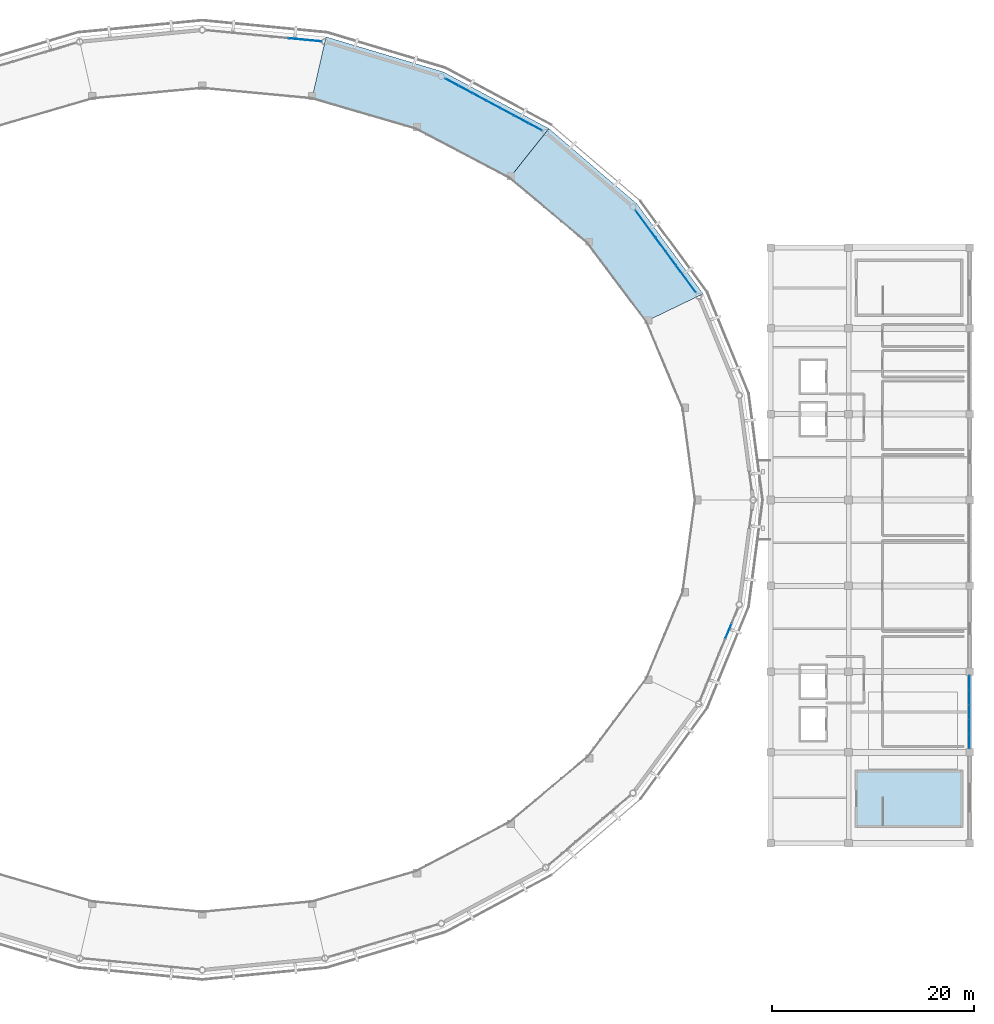
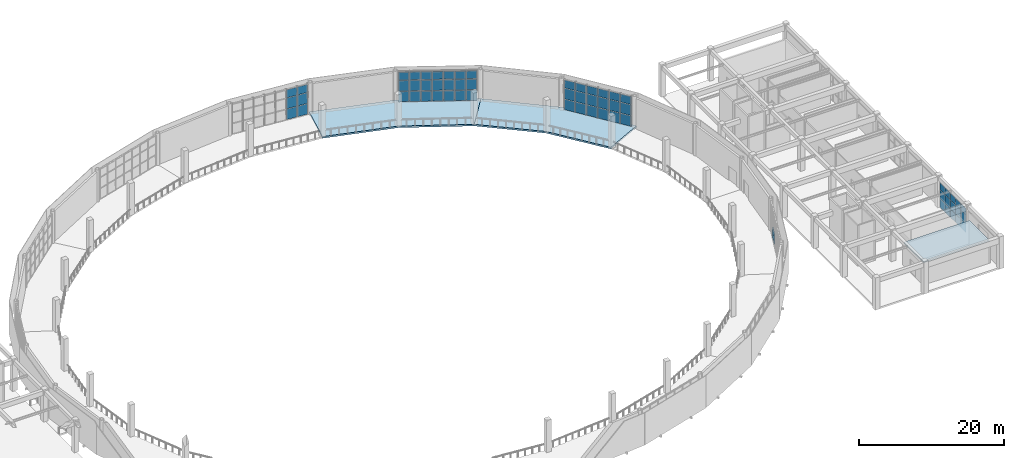
# One storey, part 28 of 40: 61 plates, 3 slabs, 5 elements without a shape of their own.
"""IFC4 building model written with IfcOpenShell, lengths in metres."""

from ifc_helpers import new_model, si_unit, direction, frame, origin, origin_2d, place, context, subcontext, project, spatial, polyline, rectangle, outline, extrude, material, layer, layer_set, type_object, element, aggregate, save


model = new_model("IFC4")

# Units and contexts
model_context = context("Model", 3, precision=1e-05, world=origin(), true_north=direction((0.0, 1.0)))
body_context = subcontext(model_context, "Body", "Model", "MODEL_VIEW")
ifc_project = project(units=[si_unit("LENGTHUNIT", "METRE"), si_unit("AREAUNIT", "SQUARE_METRE"), si_unit("VOLUMEUNIT", "CUBIC_METRE"), si_unit("PLANEANGLEUNIT", "RADIAN"), si_unit("MASSUNIT", "GRAM", prefix="KILO")], contexts=[model_context])

# Site, building, storey
site_placement = place(None, origin())
site = spatial("IfcSite", under=ifc_project, at=site_placement, CompositionType="ELEMENT")
building_placement = place(site_placement, origin())
building = spatial("IfcBuilding", under=site, at=building_placement, Name="Cuetzalor Civic Arena", CompositionType="ELEMENT")
storey_placement = place(building_placement, frame((0.0, 0.0, 26.39990234375)))
storey = spatial("IfcBuildingStorey", under=building, at=storey_placement, Name="L05", CompositionType="ELEMENT", Elevation=26.39990234375)

# Curtain wall, plates
ifc_material_1 = material(Name="Anodised dark bronze aluminium and low-E solar glass", Category="aluminium")
curtain_wall_type_1 = type_object("IfcCurtainWallType", Name="UnitisedCW_10150x5150", PredefinedType="USERDEFINED", material=ifc_material_1)
curtain_wall_1_placement = place(storey_placement, origin())
curtain_wall_1 = element("IfcCurtainWall", 1, at=curtain_wall_1_placement, inside=storey, type_object=curtain_wall_type_1, Name="Drum Triangle Foyer Curtain Wall L05-069", ObjectType="UNITISED CURTAIN WALL", PredefinedType="USERDEFINED")
ifc_material_2 = material(Name="Acoustic laminated solar control glass", Category="glass")
ifc_layer_1 = layer(ifc_material_2, 0.0439453125)
ifc_layer_set_1 = layer_set([ifc_layer_1], Name="Acoustic laminated solar control glass")
plate_type = type_object("IfcPlateType", Name="AcousticTripleGlazedPanel_44", PredefinedType="CURTAIN_PANEL", material=ifc_layer_set_1)
plate_1_placement = place(storey_placement, frame((43.402587890625, 27.999755859375, 0.0703125), z_axis=(0.0, 0.0, 1.0), x_axis=(0.59292931222, -0.805254513002, 0.0)))
plate_1 = element("IfcPlate", 2, at=plate_1_placement, type_object=plate_type, Name="CW-18 panel 1.1", PredefinedType="CURTAIN_PANEL", context=body_context, shape_type="SweptSolid", body=[
    extrude(rectangle(XDim=1.585693359375, YDim=0.0439453125, at=origin_2d()), origin(), (0.0, 0.0, 1.0), 1.743896484375),
])
plate_2_placement = place(storey_placement, frame((43.402587890625, 27.999755859375, 1.88427734375), z_axis=(0.0, 0.0, 1.0), x_axis=(0.59292931222, -0.805254513002, 0.0)))
plate_2 = element("IfcPlate", 3, at=plate_2_placement, type_object=plate_type, Name="CW-18 panel 1.2", PredefinedType="CURTAIN_PANEL", context=body_context, shape_type="SweptSolid", body=[
    extrude(rectangle(XDim=1.585693359375, YDim=0.0439453125, at=origin_2d()), origin(), (0.0, 0.0, 1.0), 1.779052734375),
])
plate_3_placement = place(storey_placement, frame((43.402587890625, 27.999755859375, 3.733154296875), z_axis=(0.0, 0.0, 1.0), x_axis=(0.59292931222, -0.805254513002, 0.0)))
plate_3 = element("IfcPlate", 4, at=plate_3_placement, type_object=plate_type, Name="CW-18 panel 1.3", PredefinedType="CURTAIN_PANEL", context=body_context, shape_type="SweptSolid", body=[
    extrude(rectangle(XDim=1.585693359375, YDim=0.0439453125, at=origin_2d()), origin(), (0.0, 0.0, 1.0), 1.3330078125),
])
plate_4_placement = place(storey_placement, frame((44.394775390625, 26.652587890625, 0.0703125), z_axis=(0.0, 0.0, 1.0), x_axis=(0.59292931222, -0.805254513002, 0.0)))
plate_4 = element("IfcPlate", 5, at=plate_4_placement, type_object=plate_type, Name="CW-18 panel 2.1", PredefinedType="CURTAIN_PANEL", context=body_context, shape_type="SweptSolid", body=[
    extrude(rectangle(XDim=1.62060546875, YDim=0.0439453125, at=origin_2d()), origin(), (0.0, 0.0, 1.0), 1.743896484375),
])
plate_5_placement = place(storey_placement, frame((44.394775390625, 26.652587890625, 1.88427734375), z_axis=(0.0, 0.0, 1.0), x_axis=(0.59292931222, -0.805254513002, 0.0)))
plate_5 = element("IfcPlate", 6, at=plate_5_placement, type_object=plate_type, Name="CW-18 panel 2.2", PredefinedType="CURTAIN_PANEL", context=body_context, shape_type="SweptSolid", body=[
    extrude(rectangle(XDim=1.62060546875, YDim=0.0439453125, at=origin_2d()), origin(), (0.0, 0.0, 1.0), 1.779052734375),
])
plate_6_placement = place(storey_placement, frame((44.394775390625, 26.652587890625, 3.733154296875), z_axis=(0.0, 0.0, 1.0), x_axis=(0.59292931222, -0.805254513002, 0.0)))
plate_6 = element("IfcPlate", 7, at=plate_6_placement, type_object=plate_type, Name="CW-18 panel 2.3", PredefinedType="CURTAIN_PANEL", context=body_context, shape_type="SweptSolid", body=[
    extrude(rectangle(XDim=1.62060546875, YDim=0.0439453125, at=origin_2d()), origin(), (0.0, 0.0, 1.0), 1.3330078125),
])
plate_7_placement = place(storey_placement, frame((45.397216796875, 25.291015625, 0.0703125), z_axis=(0.0, 0.0, 1.0), x_axis=(0.59292931222, -0.805254513002, 0.0)))
plate_7 = element("IfcPlate", 8, at=plate_7_placement, type_object=plate_type, Name="CW-18 panel 3.1", PredefinedType="CURTAIN_PANEL", context=body_context, shape_type="SweptSolid", body=[
    extrude(rectangle(XDim=1.62060546875, YDim=0.0439453125, at=origin_2d()), origin(), (0.0, 0.0, 1.0), 1.743896484375),
])
plate_8_placement = place(storey_placement, frame((45.397216796875, 25.291015625, 1.88427734375), z_axis=(0.0, 0.0, 1.0), x_axis=(0.59292931222, -0.805254513002, 0.0)))
plate_8 = element("IfcPlate", 9, at=plate_8_placement, type_object=plate_type, Name="CW-18 panel 3.2", PredefinedType="CURTAIN_PANEL", context=body_context, shape_type="SweptSolid", body=[
    extrude(rectangle(XDim=1.62060546875, YDim=0.0439453125, at=origin_2d()), origin(), (0.0, 0.0, 1.0), 1.779052734375),
])
plate_9_placement = place(storey_placement, frame((45.397216796875, 25.291015625, 3.733154296875), z_axis=(0.0, 0.0, 1.0), x_axis=(0.59292931222, -0.805254513002, 0.0)))
plate_9 = element("IfcPlate", 10, at=plate_9_placement, type_object=plate_type, Name="CW-18 panel 3.3", PredefinedType="CURTAIN_PANEL", context=body_context, shape_type="SweptSolid", body=[
    extrude(rectangle(XDim=1.62060546875, YDim=0.0439453125, at=origin_2d()), origin(), (0.0, 0.0, 1.0), 1.3330078125),
])
plate_10_placement = place(storey_placement, frame((46.399658203125, 23.9296875, 0.0703125), z_axis=(0.0, 0.0, 1.0), x_axis=(0.59292931222, -0.805254513002, 0.0)))
plate_10 = element("IfcPlate", 11, at=plate_10_placement, type_object=plate_type, Name="CW-18 panel 4.1", PredefinedType="CURTAIN_PANEL", context=body_context, shape_type="SweptSolid", body=[
    extrude(rectangle(XDim=1.62060546875, YDim=0.0439453125, at=origin_2d()), origin(), (0.0, 0.0, 1.0), 1.743896484375),
])
plate_11_placement = place(storey_placement, frame((46.399658203125, 23.9296875, 1.88427734375), z_axis=(0.0, 0.0, 1.0), x_axis=(0.59292931222, -0.805254513002, 0.0)))
plate_11 = element("IfcPlate", 12, at=plate_11_placement, type_object=plate_type, Name="CW-18 panel 4.2", PredefinedType="CURTAIN_PANEL", context=body_context, shape_type="SweptSolid", body=[
    extrude(rectangle(XDim=1.62060546875, YDim=0.0439453125, at=origin_2d()), origin(), (0.0, 0.0, 1.0), 1.779052734375),
])
plate_12_placement = place(storey_placement, frame((46.399658203125, 23.9296875, 3.733154296875), z_axis=(0.0, 0.0, 1.0), x_axis=(0.59292931222, -0.805254513002, 0.0)))
plate_12 = element("IfcPlate", 13, at=plate_12_placement, type_object=plate_type, Name="CW-18 panel 4.3", PredefinedType="CURTAIN_PANEL", context=body_context, shape_type="SweptSolid", body=[
    extrude(rectangle(XDim=1.62060546875, YDim=0.0439453125, at=origin_2d()), origin(), (0.0, 0.0, 1.0), 1.3330078125),
])
plate_13_placement = place(storey_placement, frame((47.402099609375, 22.568359375, 0.0703125), z_axis=(0.0, 0.0, 1.0), x_axis=(0.59292931222, -0.805254513002, 0.0)))
plate_13 = element("IfcPlate", 14, at=plate_13_placement, type_object=plate_type, Name="CW-18 panel 5.1", PredefinedType="CURTAIN_PANEL", context=body_context, shape_type="SweptSolid", body=[
    extrude(rectangle(XDim=1.62060546875, YDim=0.0439453125, at=origin_2d()), origin(), (0.0, 0.0, 1.0), 1.743896484375),
])
plate_14_placement = place(storey_placement, frame((47.402099609375, 22.568359375, 1.88427734375), z_axis=(0.0, 0.0, 1.0), x_axis=(0.59292931222, -0.805254513002, 0.0)))
plate_14 = element("IfcPlate", 15, at=plate_14_placement, type_object=plate_type, Name="CW-18 panel 5.2", PredefinedType="CURTAIN_PANEL", context=body_context, shape_type="SweptSolid", body=[
    extrude(rectangle(XDim=1.62060546875, YDim=0.0439453125, at=origin_2d()), origin(), (0.0, 0.0, 1.0), 1.779052734375),
])
plate_15_placement = place(storey_placement, frame((47.402099609375, 22.568359375, 3.733154296875), z_axis=(0.0, 0.0, 1.0), x_axis=(0.59292931222, -0.805254513002, 0.0)))
plate_15 = element("IfcPlate", 16, at=plate_15_placement, type_object=plate_type, Name="CW-18 panel 5.3", PredefinedType="CURTAIN_PANEL", context=body_context, shape_type="SweptSolid", body=[
    extrude(rectangle(XDim=1.62060546875, YDim=0.0439453125, at=origin_2d()), origin(), (0.0, 0.0, 1.0), 1.3330078125),
])
plate_16_placement = place(storey_placement, frame((48.39404296875, 21.220947265625, 0.0703125), z_axis=(0.0, 0.0, 1.0), x_axis=(0.59292931222, -0.805254513002, 0.0)))
plate_16 = element("IfcPlate", 17, at=plate_16_placement, type_object=plate_type, Name="CW-18 panel 6.1", PredefinedType="CURTAIN_PANEL", context=body_context, shape_type="SweptSolid", body=[
    extrude(rectangle(XDim=1.585693359375, YDim=0.0439453125, at=origin_2d()), origin(), (0.0, 0.0, 1.0), 1.743896484375),
])
plate_17_placement = place(storey_placement, frame((48.39404296875, 21.220947265625, 1.88427734375), z_axis=(0.0, 0.0, 1.0), x_axis=(0.59292931222, -0.805254513002, 0.0)))
plate_17 = element("IfcPlate", 18, at=plate_17_placement, type_object=plate_type, Name="CW-18 panel 6.2", PredefinedType="CURTAIN_PANEL", context=body_context, shape_type="SweptSolid", body=[
    extrude(rectangle(XDim=1.585693359375, YDim=0.0439453125, at=origin_2d()), origin(), (0.0, 0.0, 1.0), 1.779052734375),
])
plate_18_placement = place(storey_placement, frame((48.39404296875, 21.220947265625, 3.733154296875), z_axis=(0.0, 0.0, 1.0), x_axis=(0.59292931222, -0.805254513002, 0.0)))
plate_18 = element("IfcPlate", 19, at=plate_18_placement, type_object=plate_type, Name="CW-18 panel 6.3", PredefinedType="CURTAIN_PANEL", context=body_context, shape_type="SweptSolid", body=[
    extrude(rectangle(XDim=1.585693359375, YDim=0.0439453125, at=origin_2d()), origin(), (0.0, 0.0, 1.0), 1.3330078125),
])
aggregate(curtain_wall_1, [plate_1, plate_2, plate_3, plate_4, plate_5, plate_6, plate_7, plate_8, plate_9, plate_10, plate_11, plate_12, plate_13, plate_14, plate_15, plate_16, plate_17, plate_18])

ifc_material_3 = material(Name="Anodised dark bronze aluminium and low-E solar glass", Category="aluminium")
curtain_wall_type_2 = type_object("IfcCurtainWallType", Name="UnitisedCW_10950x5150", PredefinedType="USERDEFINED", material=ifc_material_3)
curtain_wall_2_placement = place(storey_placement, origin())
curtain_wall_2 = element("IfcCurtainWall", 20, at=curtain_wall_2_placement, inside=storey, type_object=curtain_wall_type_2, Name="Drum Triangle Foyer Curtain Wall L05-070", ObjectType="UNITISED CURTAIN WALL", PredefinedType="USERDEFINED")
plate_19_placement = place(storey_placement, frame((24.720947265625, 41.375732421875, 0.0703125), z_axis=(0.0, 0.0, 1.0), x_axis=(0.881306344124, -0.472545371163, 0.0)))
plate_19 = element("IfcPlate", 21, at=plate_19_placement, type_object=plate_type, Name="CW-19 panel 1.1", PredefinedType="CURTAIN_PANEL", context=body_context, shape_type="SweptSolid", body=[
    extrude(rectangle(XDim=1.458740234375, YDim=0.0439453125, at=origin_2d()), origin(), (0.0, 0.0, 1.0), 1.743896484375),
])
plate_20_placement = place(storey_placement, frame((24.720947265625, 41.375732421875, 1.88427734375), z_axis=(0.0, 0.0, 1.0), x_axis=(0.881306344124, -0.472545371163, 0.0)))
plate_20 = element("IfcPlate", 22, at=plate_20_placement, type_object=plate_type, Name="CW-19 panel 1.2", PredefinedType="CURTAIN_PANEL", context=body_context, shape_type="SweptSolid", body=[
    extrude(rectangle(XDim=1.458740234375, YDim=0.0439453125, at=origin_2d()), origin(), (0.0, 0.0, 1.0), 1.779052734375),
])
plate_21_placement = place(storey_placement, frame((24.720947265625, 41.375732421875, 3.733154296875), z_axis=(0.0, 0.0, 1.0), x_axis=(0.881306344124, -0.472545371163, 0.0)))
plate_21 = element("IfcPlate", 23, at=plate_21_placement, type_object=plate_type, Name="CW-19 panel 1.3", PredefinedType="CURTAIN_PANEL", context=body_context, shape_type="SweptSolid", body=[
    extrude(rectangle(XDim=1.458740234375, YDim=0.0439453125, at=origin_2d()), origin(), (0.0, 0.0, 1.0), 1.3330078125),
])
plate_22_placement = place(storey_placement, frame((26.08349609375, 40.64501953125, 0.0703125), z_axis=(0.0, 0.0, 1.0), x_axis=(0.881306344124, -0.472545371163, 0.0)))
plate_22 = element("IfcPlate", 24, at=plate_22_placement, type_object=plate_type, Name="CW-19 panel 2.1", PredefinedType="CURTAIN_PANEL", context=body_context, shape_type="SweptSolid", body=[
    extrude(rectangle(XDim=1.49365234375, YDim=0.0439453125, at=origin_2d()), origin(), (0.0, 0.0, 1.0), 1.743896484375),
])
plate_23_placement = place(storey_placement, frame((26.08349609375, 40.64501953125, 1.88427734375), z_axis=(0.0, 0.0, 1.0), x_axis=(0.881306344124, -0.472545371163, 0.0)))
plate_23 = element("IfcPlate", 25, at=plate_23_placement, type_object=plate_type, Name="CW-19 panel 2.2", PredefinedType="CURTAIN_PANEL", context=body_context, shape_type="SweptSolid", body=[
    extrude(rectangle(XDim=1.49365234375, YDim=0.0439453125, at=origin_2d()), origin(), (0.0, 0.0, 1.0), 1.779052734375),
])
plate_24_placement = place(storey_placement, frame((26.08349609375, 40.64501953125, 3.733154296875), z_axis=(0.0, 0.0, 1.0), x_axis=(0.881306344124, -0.472545371163, 0.0)))
plate_24 = element("IfcPlate", 26, at=plate_24_placement, type_object=plate_type, Name="CW-19 panel 2.3", PredefinedType="CURTAIN_PANEL", context=body_context, shape_type="SweptSolid", body=[
    extrude(rectangle(XDim=1.49365234375, YDim=0.0439453125, at=origin_2d()), origin(), (0.0, 0.0, 1.0), 1.3330078125),
])
plate_25_placement = place(storey_placement, frame((27.461669921875, 39.90625, 0.0703125), z_axis=(0.0, 0.0, 1.0), x_axis=(0.881306344124, -0.472545371163, 0.0)))
plate_25 = element("IfcPlate", 27, at=plate_25_placement, type_object=plate_type, Name="CW-19 panel 3.1", PredefinedType="CURTAIN_PANEL", context=body_context, shape_type="SweptSolid", body=[
    extrude(rectangle(XDim=1.49365234375, YDim=0.0439453125, at=origin_2d()), origin(), (0.0, 0.0, 1.0), 1.743896484375),
])
plate_26_placement = place(storey_placement, frame((27.461669921875, 39.90625, 1.88427734375), z_axis=(0.0, 0.0, 1.0), x_axis=(0.881306344124, -0.472545371163, 0.0)))
plate_26 = element("IfcPlate", 28, at=plate_26_placement, type_object=plate_type, Name="CW-19 panel 3.2", PredefinedType="CURTAIN_PANEL", context=body_context, shape_type="SweptSolid", body=[
    extrude(rectangle(XDim=1.49365234375, YDim=0.0439453125, at=origin_2d()), origin(), (0.0, 0.0, 1.0), 1.779052734375),
])
plate_27_placement = place(storey_placement, frame((27.461669921875, 39.90625, 3.733154296875), z_axis=(0.0, 0.0, 1.0), x_axis=(0.881306344124, -0.472545371163, 0.0)))
plate_27 = element("IfcPlate", 29, at=plate_27_placement, type_object=plate_type, Name="CW-19 panel 3.3", PredefinedType="CURTAIN_PANEL", context=body_context, shape_type="SweptSolid", body=[
    extrude(rectangle(XDim=1.49365234375, YDim=0.0439453125, at=origin_2d()), origin(), (0.0, 0.0, 1.0), 1.3330078125),
])
plate_28_placement = place(storey_placement, frame((28.83984375, 39.167236328125, 0.0703125), z_axis=(0.0, 0.0, 1.0), x_axis=(0.881306344124, -0.472545371163, 0.0)))
plate_28 = element("IfcPlate", 30, at=plate_28_placement, type_object=plate_type, Name="CW-19 panel 4.1", PredefinedType="CURTAIN_PANEL", context=body_context, shape_type="SweptSolid", body=[
    extrude(rectangle(XDim=1.49365234375, YDim=0.0439453125, at=origin_2d()), origin(), (0.0, 0.0, 1.0), 1.743896484375),
])
plate_29_placement = place(storey_placement, frame((28.83984375, 39.167236328125, 1.88427734375), z_axis=(0.0, 0.0, 1.0), x_axis=(0.881306344124, -0.472545371163, 0.0)))
plate_29 = element("IfcPlate", 31, at=plate_29_placement, type_object=plate_type, Name="CW-19 panel 4.2", PredefinedType="CURTAIN_PANEL", context=body_context, shape_type="SweptSolid", body=[
    extrude(rectangle(XDim=1.49365234375, YDim=0.0439453125, at=origin_2d()), origin(), (0.0, 0.0, 1.0), 1.779052734375),
])
plate_30_placement = place(storey_placement, frame((28.83984375, 39.167236328125, 3.733154296875), z_axis=(0.0, 0.0, 1.0), x_axis=(0.881306344124, -0.472545371163, 0.0)))
plate_30 = element("IfcPlate", 32, at=plate_30_placement, type_object=plate_type, Name="CW-19 panel 4.3", PredefinedType="CURTAIN_PANEL", context=body_context, shape_type="SweptSolid", body=[
    extrude(rectangle(XDim=1.49365234375, YDim=0.0439453125, at=origin_2d()), origin(), (0.0, 0.0, 1.0), 1.3330078125),
])
plate_31_placement = place(storey_placement, frame((30.218017578125, 38.42822265625, 0.0703125), z_axis=(0.0, 0.0, 1.0), x_axis=(0.881306344124, -0.472545371163, 0.0)))
plate_31 = element("IfcPlate", 33, at=plate_31_placement, type_object=plate_type, Name="CW-19 panel 5.1", PredefinedType="CURTAIN_PANEL", context=body_context, shape_type="SweptSolid", body=[
    extrude(rectangle(XDim=1.49365234375, YDim=0.0439453125, at=origin_2d()), origin(), (0.0, 0.0, 1.0), 1.743896484375),
])
plate_32_placement = place(storey_placement, frame((30.218017578125, 38.42822265625, 1.88427734375), z_axis=(0.0, 0.0, 1.0), x_axis=(0.881306344124, -0.472545371163, 0.0)))
plate_32 = element("IfcPlate", 34, at=plate_32_placement, type_object=plate_type, Name="CW-19 panel 5.2", PredefinedType="CURTAIN_PANEL", context=body_context, shape_type="SweptSolid", body=[
    extrude(rectangle(XDim=1.49365234375, YDim=0.0439453125, at=origin_2d()), origin(), (0.0, 0.0, 1.0), 1.779052734375),
])
plate_33_placement = place(storey_placement, frame((30.218017578125, 38.42822265625, 3.733154296875), z_axis=(0.0, 0.0, 1.0), x_axis=(0.881306344124, -0.472545371163, 0.0)))
plate_33 = element("IfcPlate", 35, at=plate_33_placement, type_object=plate_type, Name="CW-19 panel 5.3", PredefinedType="CURTAIN_PANEL", context=body_context, shape_type="SweptSolid", body=[
    extrude(rectangle(XDim=1.49365234375, YDim=0.0439453125, at=origin_2d()), origin(), (0.0, 0.0, 1.0), 1.3330078125),
])
plate_34_placement = place(storey_placement, frame((31.59619140625, 37.689208984375, 0.0703125), z_axis=(0.0, 0.0, 1.0), x_axis=(0.881306344124, -0.472545371163, 0.0)))
plate_34 = element("IfcPlate", 36, at=plate_34_placement, type_object=plate_type, Name="CW-19 panel 6.1", PredefinedType="CURTAIN_PANEL", context=body_context, shape_type="SweptSolid", body=[
    extrude(rectangle(XDim=1.49365234375, YDim=0.0439453125, at=origin_2d()), origin(), (0.0, 0.0, 1.0), 1.743896484375),
])
plate_35_placement = place(storey_placement, frame((31.59619140625, 37.689208984375, 1.88427734375), z_axis=(0.0, 0.0, 1.0), x_axis=(0.881306344124, -0.472545371163, 0.0)))
plate_35 = element("IfcPlate", 37, at=plate_35_placement, type_object=plate_type, Name="CW-19 panel 6.2", PredefinedType="CURTAIN_PANEL", context=body_context, shape_type="SweptSolid", body=[
    extrude(rectangle(XDim=1.49365234375, YDim=0.0439453125, at=origin_2d()), origin(), (0.0, 0.0, 1.0), 1.779052734375),
])
plate_36_placement = place(storey_placement, frame((31.59619140625, 37.689208984375, 3.733154296875), z_axis=(0.0, 0.0, 1.0), x_axis=(0.881306344124, -0.472545371163, 0.0)))
plate_36 = element("IfcPlate", 38, at=plate_36_placement, type_object=plate_type, Name="CW-19 panel 6.3", PredefinedType="CURTAIN_PANEL", context=body_context, shape_type="SweptSolid", body=[
    extrude(rectangle(XDim=1.49365234375, YDim=0.0439453125, at=origin_2d()), origin(), (0.0, 0.0, 1.0), 1.3330078125),
])
plate_37_placement = place(storey_placement, frame((32.958984375, 36.958740234375, 0.0703125), z_axis=(0.0, 0.0, 1.0), x_axis=(0.881306344124, -0.472545371163, 0.0)))
plate_37 = element("IfcPlate", 39, at=plate_37_placement, type_object=plate_type, Name="CW-19 panel 7.1", PredefinedType="CURTAIN_PANEL", context=body_context, shape_type="SweptSolid", body=[
    extrude(rectangle(XDim=1.458740234375, YDim=0.0439453125, at=origin_2d()), origin(), (0.0, 0.0, 1.0), 1.743896484375),
])
plate_38_placement = place(storey_placement, frame((32.958984375, 36.958740234375, 1.88427734375), z_axis=(0.0, 0.0, 1.0), x_axis=(0.881306344124, -0.472545371163, 0.0)))
plate_38 = element("IfcPlate", 40, at=plate_38_placement, type_object=plate_type, Name="CW-19 panel 7.2", PredefinedType="CURTAIN_PANEL", context=body_context, shape_type="SweptSolid", body=[
    extrude(rectangle(XDim=1.458740234375, YDim=0.0439453125, at=origin_2d()), origin(), (0.0, 0.0, 1.0), 1.779052734375),
])
plate_39_placement = place(storey_placement, frame((32.958984375, 36.958740234375, 3.733154296875), z_axis=(0.0, 0.0, 1.0), x_axis=(0.881306344124, -0.472545371163, 0.0)))
plate_39 = element("IfcPlate", 41, at=plate_39_placement, type_object=plate_type, Name="CW-19 panel 7.3", PredefinedType="CURTAIN_PANEL", context=body_context, shape_type="SweptSolid", body=[
    extrude(rectangle(XDim=1.458740234375, YDim=0.0439453125, at=origin_2d()), origin(), (0.0, 0.0, 1.0), 1.3330078125),
])
aggregate(curtain_wall_2, [plate_19, plate_20, plate_21, plate_22, plate_23, plate_24, plate_25, plate_26, plate_27, plate_28, plate_29, plate_30, plate_31, plate_32, plate_33, plate_34, plate_35, plate_36, plate_37, plate_38, plate_39])

ifc_material_4 = material(Name="Anodised dark bronze aluminium and low-E solar glass", Category="aluminium")
curtain_wall_type_3 = type_object("IfcCurtainWallType", Name="UnitisedCW_11550x5150", PredefinedType="USERDEFINED", material=ifc_material_4)
curtain_wall_3_placement = place(storey_placement, origin())
curtain_wall_3 = element("IfcCurtainWall", 42, at=curtain_wall_3_placement, inside=storey, type_object=curtain_wall_type_3, Name="Drum Triangle Foyer Curtain Wall L05-071", ObjectType="UNITISED CURTAIN WALL", PredefinedType="USERDEFINED")
plate_40_placement = place(storey_placement, frame((9.3583984375, 45.650146484375, 0.0703125), z_axis=(0.0, 0.0, 1.0), x_axis=(0.995409139996, -0.095711253324, 0.0)))
plate_40 = element("IfcPlate", 43, at=plate_40_placement, type_object=plate_type, Name="CW-20 panel 6.1", PredefinedType="CURTAIN_PANEL", context=body_context, shape_type="SweptSolid", body=[
    extrude(rectangle(XDim=1.58203125, YDim=0.0439453125, at=origin_2d()), origin(), (0.0, 0.0, 1.0), 1.743896484375),
])
plate_41_placement = place(storey_placement, frame((9.3583984375, 45.650146484375, 1.88427734375), z_axis=(0.0, 0.0, 1.0), x_axis=(0.995409139996, -0.095711253324, 0.0)))
plate_41 = element("IfcPlate", 44, at=plate_41_placement, type_object=plate_type, Name="CW-20 panel 6.2", PredefinedType="CURTAIN_PANEL", context=body_context, shape_type="SweptSolid", body=[
    extrude(rectangle(XDim=1.58203125, YDim=0.0439453125, at=origin_2d()), origin(), (0.0, 0.0, 1.0), 1.779052734375),
])
plate_42_placement = place(storey_placement, frame((9.3583984375, 45.650146484375, 3.733154296875), z_axis=(0.0, 0.0, 1.0), x_axis=(0.995409139996, -0.095711253324, 0.0)))
plate_42 = element("IfcPlate", 45, at=plate_42_placement, type_object=plate_type, Name="CW-20 panel 6.3", PredefinedType="CURTAIN_PANEL", context=body_context, shape_type="SweptSolid", body=[
    extrude(rectangle(XDim=1.58203125, YDim=0.0439453125, at=origin_2d()), origin(), (0.0, 0.0, 1.0), 1.3330078125),
])
plate_43_placement = place(storey_placement, frame((10.985595703125, 45.49365234375, 0.0703125), z_axis=(0.0, 0.0, 1.0), x_axis=(0.995409139996, -0.095711253324, 0.0)))
plate_43 = element("IfcPlate", 46, at=plate_43_placement, type_object=plate_type, Name="CW-20 panel 7.1", PredefinedType="CURTAIN_PANEL", context=body_context, shape_type="SweptSolid", body=[
    extrude(rectangle(XDim=1.547119140625, YDim=0.0439453125, at=origin_2d()), origin(), (0.0, 0.0, 1.0), 1.743896484375),
])
plate_44_placement = place(storey_placement, frame((10.985595703125, 45.49365234375, 1.88427734375), z_axis=(0.0, 0.0, 1.0), x_axis=(0.995409139996, -0.095711253324, 0.0)))
plate_44 = element("IfcPlate", 47, at=plate_44_placement, type_object=plate_type, Name="CW-20 panel 7.2", PredefinedType="CURTAIN_PANEL", context=body_context, shape_type="SweptSolid", body=[
    extrude(rectangle(XDim=1.547119140625, YDim=0.0439453125, at=origin_2d()), origin(), (0.0, 0.0, 1.0), 1.779052734375),
])
plate_45_placement = place(storey_placement, frame((10.985595703125, 45.49365234375, 3.733154296875), z_axis=(0.0, 0.0, 1.0), x_axis=(0.995409139996, -0.095711253324, 0.0)))
plate_45 = element("IfcPlate", 48, at=plate_45_placement, type_object=plate_type, Name="CW-20 panel 7.3", PredefinedType="CURTAIN_PANEL", context=body_context, shape_type="SweptSolid", body=[
    extrude(rectangle(XDim=1.547119140625, YDim=0.0439453125, at=origin_2d()), origin(), (0.0, 0.0, 1.0), 1.3330078125),
])
aggregate(curtain_wall_3, [plate_40, plate_41, plate_42, plate_43, plate_44, plate_45])

# Curtain wall, plate
ifc_material_5 = material(Name="Anodised dark bronze aluminium and low-E solar glass", Category="aluminium")
curtain_wall_type_4 = type_object("IfcCurtainWallType", Name="UnitisedCW_9850x5150", PredefinedType="USERDEFINED", material=ifc_material_5)
curtain_wall_4_placement = place(storey_placement, origin())
curtain_wall_4 = element("IfcCurtainWall", 49, at=curtain_wall_4_placement, inside=storey, type_object=curtain_wall_type_4, Name="Drum Triangle Foyer Curtain Wall L05-080", ObjectType="UNITISED CURTAIN WALL", PredefinedType="USERDEFINED")
plate_46_placement = place(storey_placement, frame((52.1015625, -12.993896484375, 0.0703125), z_axis=(0.0, 0.0, 1.0), x_axis=(-0.379391428583, -0.925236263836, 0.0)))
plate_46 = element("IfcPlate", 50, at=plate_46_placement, type_object=plate_type, Name="CW-23 panel 2.1", PredefinedType="CURTAIN_PANEL", context=body_context, shape_type="SweptSolid", body=[
    extrude(rectangle(XDim=1.57568359375, YDim=0.0439453125, at=origin_2d()), origin(), (0.0, 0.0, 1.0), 1.743896484375),
])
aggregate(curtain_wall_4, [plate_46])

# Curtain wall, plates
ifc_material_6 = material(Name="Anodised dark bronze aluminium and low-E solar glass", Category="aluminium")
curtain_wall_type_5 = type_object("IfcCurtainWallType", Name="UnitisedCW_7300x4200", PredefinedType="USERDEFINED", material=ifc_material_6)
curtain_wall_5_placement = place(storey_placement, origin())
curtain_wall_5 = element("IfcCurtainWall", 51, at=curtain_wall_5_placement, inside=storey, type_object=curtain_wall_type_5, Name="V4E Media Broadcast Curtain Wall L05-154", ObjectType="UNITISED CURTAIN WALL", PredefinedType="USERDEFINED")
plate_47_placement = place(storey_placement, frame((76.0, -18.101806640625, 0.065185546875), z_axis=(0.0, 0.0, 1.0), x_axis=(0.0, -1.0, 0.0)))
plate_47 = element("IfcPlate", 52, at=plate_47_placement, type_object=plate_type, Name="CW-49 panel 1.1", PredefinedType="CURTAIN_PANEL", context=body_context, shape_type="SweptSolid", body=[
    extrude(rectangle(XDim=1.359619140625, YDim=0.0439453125, at=origin_2d()), origin(), (0.0, 0.0, 1.0), 1.42138671875),
])
plate_48_placement = place(storey_placement, frame((76.0, -18.101806640625, 1.551513671875), z_axis=(0.0, 0.0, 1.0), x_axis=(0.0, -1.0, 0.0)))
plate_48 = element("IfcPlate", 53, at=plate_48_placement, type_object=plate_type, Name="CW-49 panel 1.2", PredefinedType="CURTAIN_PANEL", context=body_context, shape_type="SweptSolid", body=[
    extrude(rectangle(XDim=1.359619140625, YDim=0.0439453125, at=origin_2d()), origin(), (0.0, 0.0, 1.0), 1.4541015625),
])
plate_49_placement = place(storey_placement, frame((76.0, -18.101806640625, 3.070556640625), z_axis=(0.0, 0.0, 1.0), x_axis=(0.0, -1.0, 0.0)))
plate_49 = element("IfcPlate", 54, at=plate_49_placement, type_object=plate_type, Name="CW-49 panel 1.3", PredefinedType="CURTAIN_PANEL", context=body_context, shape_type="SweptSolid", body=[
    extrude(rectangle(XDim=1.359619140625, YDim=0.0439453125, at=origin_2d()), origin(), (0.0, 0.0, 1.0), 1.08447265625),
])
plate_50_placement = place(storey_placement, frame((76.0, -19.542724609375, 0.065185546875), z_axis=(0.0, 0.0, 1.0), x_axis=(0.0, -1.0, 0.0)))
plate_50 = element("IfcPlate", 55, at=plate_50_placement, type_object=plate_type, Name="CW-49 panel 2.1", PredefinedType="CURTAIN_PANEL", context=body_context, shape_type="SweptSolid", body=[
    extrude(rectangle(XDim=1.39208984375, YDim=0.0439453125, at=origin_2d()), origin(), (0.0, 0.0, 1.0), 1.42138671875),
])
plate_51_placement = place(storey_placement, frame((76.0, -19.542724609375, 1.551513671875), z_axis=(0.0, 0.0, 1.0), x_axis=(0.0, -1.0, 0.0)))
plate_51 = element("IfcPlate", 56, at=plate_51_placement, type_object=plate_type, Name="CW-49 panel 2.2", PredefinedType="CURTAIN_PANEL", context=body_context, shape_type="SweptSolid", body=[
    extrude(rectangle(XDim=1.39208984375, YDim=0.0439453125, at=origin_2d()), origin(), (0.0, 0.0, 1.0), 1.4541015625),
])
plate_52_placement = place(storey_placement, frame((76.0, -19.542724609375, 3.070556640625), z_axis=(0.0, 0.0, 1.0), x_axis=(0.0, -1.0, 0.0)))
plate_52 = element("IfcPlate", 57, at=plate_52_placement, type_object=plate_type, Name="CW-49 panel 2.3", PredefinedType="CURTAIN_PANEL", context=body_context, shape_type="SweptSolid", body=[
    extrude(rectangle(XDim=1.39208984375, YDim=0.0439453125, at=origin_2d()), origin(), (0.0, 0.0, 1.0), 1.08447265625),
])
plate_53_placement = place(storey_placement, frame((76.0, -21.0, 0.065185546875), z_axis=(0.0, 0.0, 1.0), x_axis=(0.0, -1.0, 0.0)))
plate_53 = element("IfcPlate", 58, at=plate_53_placement, type_object=plate_type, Name="CW-49 panel 3.1", PredefinedType="CURTAIN_PANEL", context=body_context, shape_type="SweptSolid", body=[
    extrude(rectangle(XDim=1.39208984375, YDim=0.0439453125, at=origin_2d()), origin(), (0.0, 0.0, 1.0), 1.42138671875),
])
plate_54_placement = place(storey_placement, frame((76.0, -21.0, 1.551513671875), z_axis=(0.0, 0.0, 1.0), x_axis=(0.0, -1.0, 0.0)))
plate_54 = element("IfcPlate", 59, at=plate_54_placement, type_object=plate_type, Name="CW-49 panel 3.2", PredefinedType="CURTAIN_PANEL", context=body_context, shape_type="SweptSolid", body=[
    extrude(rectangle(XDim=1.39208984375, YDim=0.0439453125, at=origin_2d()), origin(), (0.0, 0.0, 1.0), 1.4541015625),
])
plate_55_placement = place(storey_placement, frame((76.0, -21.0, 3.070556640625), z_axis=(0.0, 0.0, 1.0), x_axis=(0.0, -1.0, 0.0)))
plate_55 = element("IfcPlate", 60, at=plate_55_placement, type_object=plate_type, Name="CW-49 panel 3.3", PredefinedType="CURTAIN_PANEL", context=body_context, shape_type="SweptSolid", body=[
    extrude(rectangle(XDim=1.39208984375, YDim=0.0439453125, at=origin_2d()), origin(), (0.0, 0.0, 1.0), 1.08447265625),
])
plate_56_placement = place(storey_placement, frame((76.0, -22.457275390625, 0.065185546875), z_axis=(0.0, 0.0, 1.0), x_axis=(0.0, -1.0, 0.0)))
plate_56 = element("IfcPlate", 61, at=plate_56_placement, type_object=plate_type, Name="CW-49 panel 4.1", PredefinedType="CURTAIN_PANEL", context=body_context, shape_type="SweptSolid", body=[
    extrude(rectangle(XDim=1.39208984375, YDim=0.0439453125, at=origin_2d()), origin(), (0.0, 0.0, 1.0), 1.42138671875),
])
plate_57_placement = place(storey_placement, frame((76.0, -22.457275390625, 1.551513671875), z_axis=(0.0, 0.0, 1.0), x_axis=(0.0, -1.0, 0.0)))
plate_57 = element("IfcPlate", 62, at=plate_57_placement, type_object=plate_type, Name="CW-49 panel 4.2", PredefinedType="CURTAIN_PANEL", context=body_context, shape_type="SweptSolid", body=[
    extrude(rectangle(XDim=1.39208984375, YDim=0.0439453125, at=origin_2d()), origin(), (0.0, 0.0, 1.0), 1.4541015625),
])
plate_58_placement = place(storey_placement, frame((76.0, -22.457275390625, 3.070556640625), z_axis=(0.0, 0.0, 1.0), x_axis=(0.0, -1.0, 0.0)))
plate_58 = element("IfcPlate", 63, at=plate_58_placement, type_object=plate_type, Name="CW-49 panel 4.3", PredefinedType="CURTAIN_PANEL", context=body_context, shape_type="SweptSolid", body=[
    extrude(rectangle(XDim=1.39208984375, YDim=0.0439453125, at=origin_2d()), origin(), (0.0, 0.0, 1.0), 1.08447265625),
])
plate_59_placement = place(storey_placement, frame((76.0, -23.898193359375, 0.065185546875), z_axis=(0.0, 0.0, 1.0), x_axis=(0.0, -1.0, 0.0)))
plate_59 = element("IfcPlate", 64, at=plate_59_placement, type_object=plate_type, Name="CW-49 panel 5.1", PredefinedType="CURTAIN_PANEL", context=body_context, shape_type="SweptSolid", body=[
    extrude(rectangle(XDim=1.359619140625, YDim=0.0439453125, at=origin_2d()), origin(), (0.0, 0.0, 1.0), 1.42138671875),
])
plate_60_placement = place(storey_placement, frame((76.0, -23.898193359375, 1.551513671875), z_axis=(0.0, 0.0, 1.0), x_axis=(0.0, -1.0, 0.0)))
plate_60 = element("IfcPlate", 65, at=plate_60_placement, type_object=plate_type, Name="CW-49 panel 5.2", PredefinedType="CURTAIN_PANEL", context=body_context, shape_type="SweptSolid", body=[
    extrude(rectangle(XDim=1.359619140625, YDim=0.0439453125, at=origin_2d()), origin(), (0.0, 0.0, 1.0), 1.4541015625),
])
plate_61_placement = place(storey_placement, frame((76.0, -23.898193359375, 3.070556640625), z_axis=(0.0, 0.0, 1.0), x_axis=(0.0, -1.0, 0.0)))
plate_61 = element("IfcPlate", 66, at=plate_61_placement, type_object=plate_type, Name="CW-49 panel 5.3", PredefinedType="CURTAIN_PANEL", context=body_context, shape_type="SweptSolid", body=[
    extrude(rectangle(XDim=1.359619140625, YDim=0.0439453125, at=origin_2d()), origin(), (0.0, 0.0, 1.0), 1.08447265625),
])
aggregate(curtain_wall_5, [plate_47, plate_48, plate_49, plate_50, plate_51, plate_52, plate_53, plate_54, plate_55, plate_56, plate_57, plate_58, plate_59, plate_60, plate_61])

# Slabs
ifc_material_7 = material(Name="Concrete C40/50", Category="concrete")
ifc_layer_2 = layer(ifc_material_7, 0.219970703125)
ifc_layer_set_2 = layer_set([ifc_layer_2], Name="Concrete C40/50")
slab_type_1 = type_object("IfcSlabType", Name="LiftShaftRoofCapSlab_220", PredefinedType="ROOF", material=ifc_layer_set_2)
slab_1_placement = place(storey_placement, frame((0.0, 0.0, 3.60009765625)))
element("IfcSlab", 67, at=slab_1_placement, inside=storey, type_object=slab_type_1, Name="Stair Core Enclosure Cap Slab ST-21", PredefinedType="ROOF", context=body_context, shape_type="SweptSolid", body=[
    extrude(outline(polyline([(64.780029296875, -32.320068359375), (75.219970703125, -32.320068359375), (75.219970703125, -26.8798828125), (64.780029296875, -26.8798828125), (64.780029296875, -32.320068359375)])), origin(), (0.0, 0.0, 1.0), 0.219970703125),
])
ifc_material_8 = material(Name="Concrete C35/45", Category="concrete")
ifc_layer_3 = layer(ifc_material_8, 0.280029296875)
ifc_layer_set_3 = layer_set([ifc_layer_3], Name="Concrete C35/45")
slab_type_2 = type_object("IfcSlabType", Name="SuspendedFloorSlab_280", PredefinedType="FLOOR", material=ifc_layer_set_3)
slab_2_placement = place(storey_placement, frame((0.0, 0.0, -0.27978515625)))
element("IfcSlab", 68, at=slab_2_placement, inside=storey, type_object=slab_type_2, Name="Arena Concourse Sector Slab L05-02", PredefinedType="FLOOR", context=body_context, shape_type="SweptSolid", body=[
    extrude(outline(polyline([(43.96728515625, 17.702392578125), (38.1533203125, 25.4384765625), (30.42626953125, 31.898681640625), (34.322998046875, 36.78515625), (43.039794921875, 29.335205078125), (49.598388671875, 20.414306640625), (43.96728515625, 17.702392578125)])), origin(), (0.0, 0.0, 1.0), 0.27978515625),
])
slab_3_placement = place(storey_placement, frame((0.0, 0.0, -0.27978515625)))
element("IfcSlab", 69, at=slab_3_placement, inside=storey, type_object=slab_type_2, Name="Arena Concourse Sector Slab L05-03", PredefinedType="FLOOR", context=body_context, shape_type="SweptSolid", body=[
    extrude(outline(polyline([(30.42626953125, 31.898681640625), (21.173583984375, 36.759521484375), (10.85888671875, 39.777099609375), (12.249755859375, 45.870361328125), (23.88525390625, 42.390625), (34.322998046875, 36.78515625), (30.42626953125, 31.898681640625)])), origin(), (0.0, 0.0, 1.0), 0.27978515625),
])

save(model, "model.ifc")
